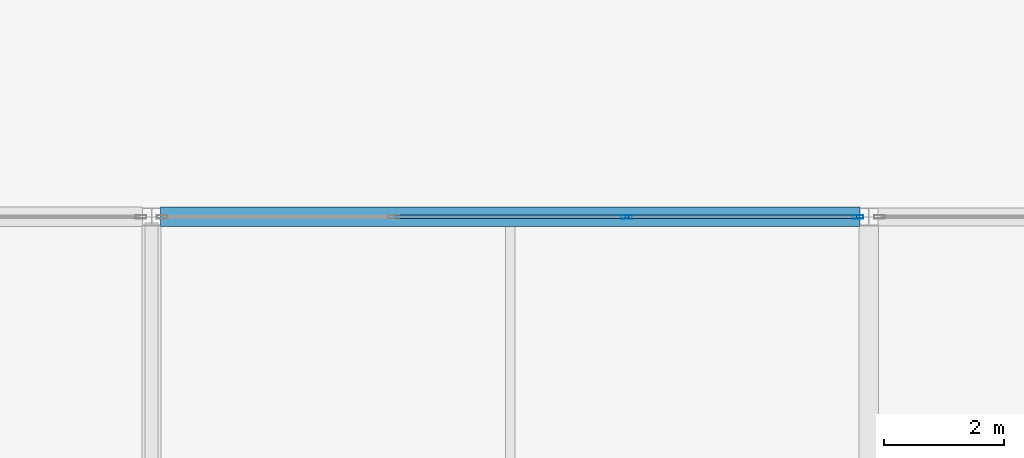
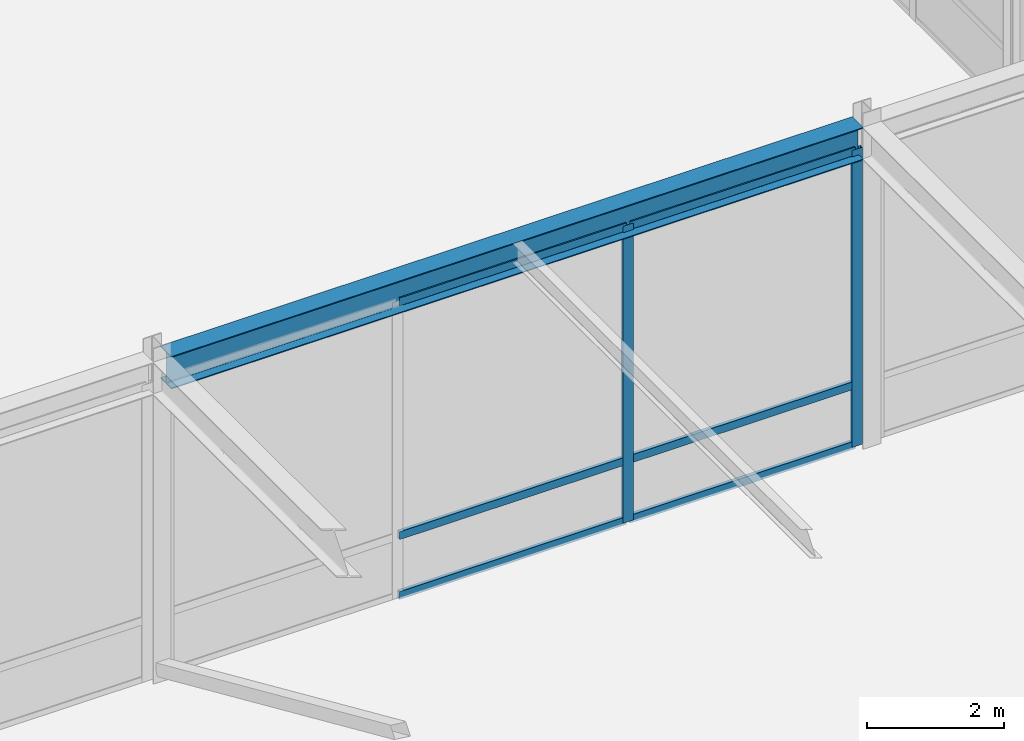
# One storey, part 81 of 108: 8 members, 1 beam, 1 element without a shape of its own.
"""IFC4 building model written with IfcOpenShell, lengths in metres."""

from ifc_helpers import new_model, si_unit, direction, frame, origin, origin_2d, place, context, subcontext, project, spatial, hollow_rectangle, i_section, extrude, material, layer, layer_set, material_profile, profile_set, type_object, element, aggregate, save


model = new_model("IFC4")

# Units and contexts
model_context = context("Model", 3, precision=1e-05, world=origin(), true_north=direction((0.0, 1.0)))
body_context = subcontext(model_context, "Body", "Model", "MODEL_VIEW")
ifc_project = project(units=[si_unit("LENGTHUNIT", "METRE"), si_unit("AREAUNIT", "SQUARE_METRE"), si_unit("VOLUMEUNIT", "CUBIC_METRE"), si_unit("PLANEANGLEUNIT", "RADIAN"), si_unit("MASSUNIT", "GRAM", prefix="KILO")], contexts=[model_context])

# Site, building, storey
site_placement = place(None, origin())
site = spatial("IfcSite", under=ifc_project, at=site_placement, CompositionType="ELEMENT")
building_placement = place(site_placement, origin())
building = spatial("IfcBuilding", under=site, at=building_placement, Name="Zlatovratsky Civic Hall", CompositionType="ELEMENT")
storey_placement = place(building_placement, frame((0.0, 0.0, 6.0)))
storey = spatial("IfcBuildingStorey", under=building, at=storey_placement, Name="L02", CompositionType="ELEMENT", Elevation=6.0)

# Beam
ifc_material_1 = material(Name="Steel S355", Category="steel")
ifc_material_profile_1 = material_profile(ifc_material_1, i_section(OverallWidth=0.320068359375, OverallDepth=0.58203125, WebThickness=0.011962890625, FlangeThickness=0.01708984375, FilletRadius=0.02392578125, at=origin_2d()), Name="60Sh1")
ifc_profile_set_1 = profile_set([ifc_material_profile_1], Name="Steel S355")
beam_type = type_object("IfcBeamType", Name="Beam_PodiumGirder_60Sh1", PredefinedType="BEAM", material=ifc_profile_set_1)
beam_placement = place(storey_placement, frame((132.14990234375, 30.0, 5.468994140625), z_axis=(1.0, 0.0, 0.0), x_axis=(0.0, 1.0, 0.0)))
element("IfcBeam", 1, at=beam_placement, inside=storey, type_object=beam_type, Name="BM-1797", PredefinedType="BEAM", context=body_context, shape_type="SweptSolid", body=[
    extrude(i_section(OverallWidth=0.320068359375, OverallDepth=0.58203125, WebThickness=0.011962890625, FlangeThickness=0.01708984375, FilletRadius=0.02392578125, at=origin_2d()), origin(), (0.0, 0.0, 1.0), 11.7001953125),
])

# Curtain wall, members
ifc_material_2 = material(Name="Anodised bronze aluminium", Category="aluminium")
ifc_layer = layer(ifc_material_2, 0.159912109375)
ifc_layer_set = layer_set([ifc_layer], Name="Anodised bronze aluminium")
curtain_wall_type = type_object("IfcCurtainWallType", Name="CurtainWall_Bronze_11700x5310_05", PredefinedType="NOTDEFINED", material=ifc_layer_set)
curtain_wall_placement = place(storey_placement, origin())
curtain_wall = element("IfcCurtainWall", 2, at=curtain_wall_placement, inside=storey, type_object=curtain_wall_type, Name="CW-028", PredefinedType="NOTDEFINED")
ifc_material_profile_2 = material_profile(ifc_material_2, hollow_rectangle(XDim=0.06005859375, YDim=0.179931640625, WallThickness=0.00390625, at=origin_2d()), Name="ALU 60x180x4")
ifc_profile_set_2 = profile_set([ifc_material_profile_2], Name="Anodised bronze aluminium")
member_type_1 = type_object("IfcMemberType", Name="CW_Mullion_60x180", PredefinedType="MULLION", material=ifc_profile_set_2)
member_1_placement = place(storey_placement, frame((139.949951171875, 30.0, 0.0), z_axis=(0.0, 0.0, 1.0), x_axis=(0.0, 1.0, 0.0)))
member_1 = element("IfcMember", 3, at=member_1_placement, type_object=member_type_1, Name="CW-05 mullion 3", PredefinedType="MULLION", context=body_context, shape_type="SweptSolid", body=[
    extrude(hollow_rectangle(XDim=0.06005859375, YDim=0.179931640625, WallThickness=0.00390625, at=origin_2d()), origin(), (0.0, 0.0, 1.0), 5.31005859375),
])
member_2_placement = place(storey_placement, frame((143.820068359375, 30.0, 0.0), z_axis=(0.0, 0.0, 1.0), x_axis=(0.0, 1.0, 0.0)))
member_2 = element("IfcMember", 4, at=member_2_placement, type_object=member_type_1, Name="CW-05 mullion 4", PredefinedType="MULLION", context=body_context, shape_type="SweptSolid", body=[
    extrude(hollow_rectangle(XDim=0.06005859375, YDim=0.179931640625, WallThickness=0.00390625, at=origin_2d()), origin(), (0.0, 0.0, 1.0), 5.31005859375),
])
ifc_material_profile_3 = material_profile(ifc_material_2, hollow_rectangle(XDim=0.06005859375, YDim=0.139892578125, WallThickness=0.00390625, at=origin_2d()), Name="ALU 60x140x4")
ifc_profile_set_3 = profile_set([ifc_material_profile_3], Name="Anodised bronze aluminium")
member_type_2 = type_object("IfcMemberType", Name="CW_Transom_60x140", PredefinedType="USERDEFINED", material=ifc_profile_set_3)
member_3_placement = place(storey_placement, frame((136.080078125, 30.0, 0.030029296875), z_axis=(1.0, 0.0, 0.0), x_axis=(0.0, 1.0, 0.0)))
member_3 = element("IfcMember", 5, at=member_3_placement, type_object=member_type_2, Name="CW-05 transom 2.1", ObjectType="TRANSOM", PredefinedType="USERDEFINED", context=body_context, shape_type="SweptSolid", body=[
    extrude(hollow_rectangle(XDim=0.06005859375, YDim=0.139892578125, WallThickness=0.00390625, at=origin_2d()), origin(), (0.0, 0.0, 1.0), 3.83984375),
])
member_4_placement = place(storey_placement, frame((136.080078125, 30.0, 1.10009765625), z_axis=(1.0, 0.0, 0.0), x_axis=(0.0, 1.0, 0.0)))
member_4 = element("IfcMember", 6, at=member_4_placement, type_object=member_type_2, Name="CW-05 transom 2.2", ObjectType="TRANSOM", PredefinedType="USERDEFINED", context=body_context, shape_type="SweptSolid", body=[
    extrude(hollow_rectangle(XDim=0.06005859375, YDim=0.139892578125, WallThickness=0.00390625, at=origin_2d()), origin(), (0.0, 0.0, 1.0), 3.83984375),
])
member_5_placement = place(storey_placement, frame((136.080078125, 30.0, 5.280029296875), z_axis=(1.0, 0.0, 0.0), x_axis=(0.0, 1.0, 0.0)))
member_5 = element("IfcMember", 7, at=member_5_placement, type_object=member_type_2, Name="CW-05 transom 2.3", ObjectType="TRANSOM", PredefinedType="USERDEFINED", context=body_context, shape_type="SweptSolid", body=[
    extrude(hollow_rectangle(XDim=0.06005859375, YDim=0.139892578125, WallThickness=0.00390625, at=origin_2d()), origin(), (0.0, 0.0, 1.0), 3.83984375),
])
member_6_placement = place(storey_placement, frame((139.97998046875, 30.0, 0.030029296875), z_axis=(1.0, 0.0, 0.0), x_axis=(0.0, 1.0, 0.0)))
member_6 = element("IfcMember", 8, at=member_6_placement, type_object=member_type_2, Name="CW-05 transom 3.1", ObjectType="TRANSOM", PredefinedType="USERDEFINED", context=body_context, shape_type="SweptSolid", body=[
    extrude(hollow_rectangle(XDim=0.06005859375, YDim=0.139892578125, WallThickness=0.00390625, at=origin_2d()), origin(), (0.0, 0.0, 1.0), 3.81005859375),
])
member_7_placement = place(storey_placement, frame((139.97998046875, 30.0, 1.10009765625), z_axis=(1.0, 0.0, 0.0), x_axis=(0.0, 1.0, 0.0)))
member_7 = element("IfcMember", 9, at=member_7_placement, type_object=member_type_2, Name="CW-05 transom 3.2", ObjectType="TRANSOM", PredefinedType="USERDEFINED", context=body_context, shape_type="SweptSolid", body=[
    extrude(hollow_rectangle(XDim=0.06005859375, YDim=0.139892578125, WallThickness=0.00390625, at=origin_2d()), origin(), (0.0, 0.0, 1.0), 3.81005859375),
])
member_8_placement = place(storey_placement, frame((139.97998046875, 30.0, 5.280029296875), z_axis=(1.0, 0.0, 0.0), x_axis=(0.0, 1.0, 0.0)))
member_8 = element("IfcMember", 10, at=member_8_placement, type_object=member_type_2, Name="CW-05 transom 3.3", ObjectType="TRANSOM", PredefinedType="USERDEFINED", context=body_context, shape_type="SweptSolid", body=[
    extrude(hollow_rectangle(XDim=0.06005859375, YDim=0.139892578125, WallThickness=0.00390625, at=origin_2d()), origin(), (0.0, 0.0, 1.0), 3.81005859375),
])
aggregate(curtain_wall, [member_1, member_2, member_3, member_4, member_5, member_6, member_7, member_8])

save(model, "model.ifc")
